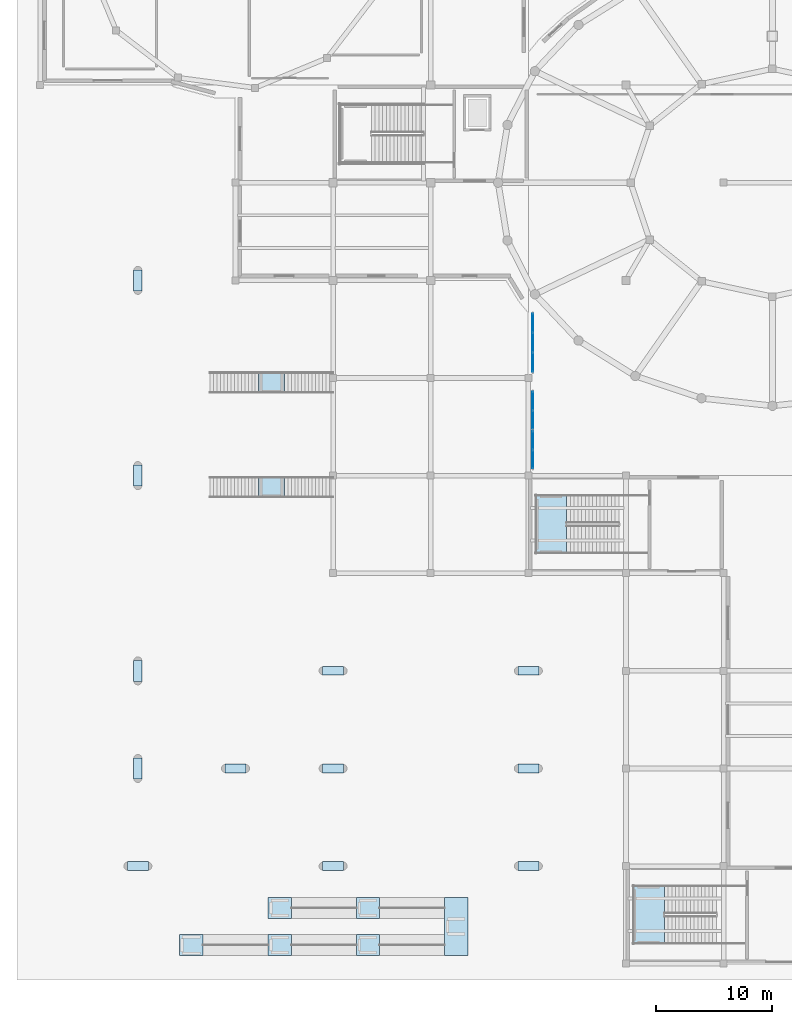
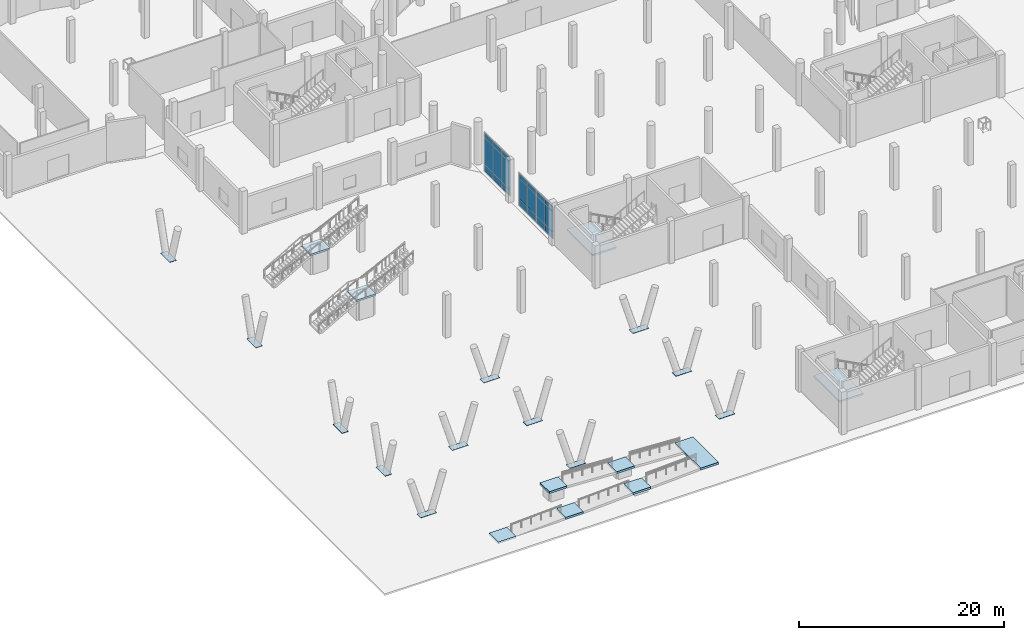
# One storey, part 37 of 64: 33 plates, 10 slabs, 12 elements without a shape of their own.
"""IFC4 building model written with IfcOpenShell, lengths in metres."""

import ifcopenshell
import ifcopenshell.guid

model = None  # the IFC model being written
_history = None  # IfcOwnerHistory: only IFC2X3 demands one
_inside = {}  # id of a spatial element -> (the spatial element, [elements in it])
_under = {}  # id of a project, library or spatial element -> (it, [spatial elements below it])
_declared = {}  # id of a project -> (the project, [libraries it declares])
_typed = {}  # id of a type object -> (the type object, [elements of that type])
_made_of = {}  # id of a material, layer set ... -> (it, [elements and type objects made of it])


def new_model(schema):
    """Start an empty IFC model of exactly this schema.

    Asked for "IFC4X3", IfcOpenShell would pick the latest addendum, in which some entities
    have other attributes; the version numbers below select the first issue.
    IFC2X3 requires an IfcOwnerHistory on every rooted entity: one is made here for all.
    """
    global model, _history
    if schema == "IFC4X3":
        model = ifcopenshell.file(schema_version=(4, 3, 0, 0))
    else:
        model = ifcopenshell.file(schema=schema)
    _inside.clear()
    _under.clear()
    _declared.clear()
    _typed.clear()
    _made_of.clear()
    _history = None
    if model.schema == "IFC2X3":
        org = make("IfcOrganization", Name="unknown")
        user = make(
            "IfcPersonAndOrganization",
            ThePerson=make("IfcPerson", FamilyName="unknown"),
            TheOrganization=org,
        )
        app = make(
            "IfcApplication",
            ApplicationDeveloper=org,
            Version="unknown",
            ApplicationFullName="unknown",
            ApplicationIdentifier="unknown",
        )
        _history = make(
            "IfcOwnerHistory",
            OwningUser=user,
            OwningApplication=app,
            ChangeAction="ADDED",
            CreationDate=0,
        )
    return model


def make(cls, **values):
    """One entity of the class cls with the attributes given. An attribute that is None is left unset."""
    return model.create_entity(
        cls, **{name: value for name, value in values.items() if value is not None}
    )


def rooted(cls, **values):
    """An entity with a GlobalId (a new one), such as an element, a storey or a relation."""
    return make(cls, GlobalId=ifcopenshell.guid.new(), OwnerHistory=_history, **values)


def si_unit(unit_type, name, prefix=None):
    """IfcSIUnit, for example si_unit("LENGTHUNIT", "METRE", prefix="MILLI")."""
    return make("IfcSIUnit", UnitType=unit_type, Prefix=prefix, Name=name)


def derived_unit(unit_type, elements):
    """IfcDerivedUnit: a product of units, each with its exponent."""
    return make(
        "IfcDerivedUnit",
        Elements=[
            make("IfcDerivedUnitElement", Unit=unit, Exponent=power)
            for unit, power in elements
        ],
        UnitType=unit_type,
    )


def assignment(units):
    """IfcUnitAssignment: the units of a project."""
    return None if units is None else make("IfcUnitAssignment", Units=units)


def point(xyz):
    """IfcCartesianPoint."""
    return None if xyz is None else make("IfcCartesianPoint", Coordinates=xyz)


def direction(xyz):
    """IfcDirection."""
    return None if xyz is None else make("IfcDirection", DirectionRatios=xyz)


def frame(location, z_axis=None, x_axis=None):
    """IfcAxis2Placement3D, a coordinate frame: its origin and axes. An axis left out is left unset."""
    return make(
        "IfcAxis2Placement3D",
        Location=point(location),
        Axis=direction(z_axis),
        RefDirection=direction(x_axis),
    )


def frame_2d(location, x_axis=None):
    """IfcAxis2Placement2D, a coordinate frame in the plane: its origin and x axis."""
    return make(
        "IfcAxis2Placement2D", Location=point(location), RefDirection=direction(x_axis)
    )


def origin():
    """The frame at (0, 0, 0) with its axes left unset."""
    return frame((0.0, 0.0, 0.0))


def origin_2d():
    """The frame at (0, 0) in the plane with its x axis left unset."""
    return frame_2d((0.0, 0.0))


def place(relative_to, where):
    """IfcLocalPlacement: puts the frame where relative to a parent placement (None: the world)."""
    return make(
        "IfcLocalPlacement", PlacementRelTo=relative_to, RelativePlacement=where
    )


def context(
    kind, dimensions, precision=None, world=None, true_north=None, identifier=None
):
    """IfcGeometricRepresentationContext, for example the 3D "Model" context."""
    return make(
        "IfcGeometricRepresentationContext",
        ContextIdentifier=identifier,
        ContextType=kind,
        CoordinateSpaceDimension=dimensions,
        Precision=precision,
        WorldCoordinateSystem=world,
        TrueNorth=true_north,
    )


def subcontext(parent, identifier, kind, view, scale=None):
    """IfcGeometricRepresentationSubContext, for example "Body" below "Model"."""
    return make(
        "IfcGeometricRepresentationSubContext",
        ContextIdentifier=identifier,
        ContextType=kind,
        ParentContext=parent,
        TargetScale=scale,
        TargetView=view,
    )


def project(units=None, contexts=None):
    """IfcProject with its units and contexts."""
    return rooted(
        "IfcProject",
        Name="project",
        RepresentationContexts=contexts,
        UnitsInContext=assignment(units),
    )


def spatial(cls, under=None, at=None, **own):
    """A site, building, storey or space (cls), placed at a placement, below another one or the project."""
    s = rooted(cls, ObjectPlacement=at, **own)
    if under is not None:
        _under.setdefault(under.id(), (under, []))[1].append(s)
    return s


def polyline(points):
    """IfcPolyline through the points."""
    return make("IfcPolyline", Points=[point(p) for p in points])


def profile(cls, at=None, kind="AREA", **sizes):
    """A parametric profile (cls). Its sizes go by their IFC names, for example OverallWidth=200.0."""
    return make(cls, ProfileType=kind, Position=at, **sizes)


def rectangle(**sizes):
    """IfcRectangleProfileDef."""
    return profile("IfcRectangleProfileDef", **sizes)


def outline(outer, holes=None, kind="AREA"):
    """IfcArbitraryClosedProfileDef: a profile drawn as a closed curve; with holes, ...WithVoids."""
    if holes is None:
        return make("IfcArbitraryClosedProfileDef", ProfileType=kind, OuterCurve=outer)
    return make(
        "IfcArbitraryProfileDefWithVoids",
        ProfileType=kind,
        OuterCurve=outer,
        InnerCurves=holes,
    )


def extrude(swept, where, along, depth):
    """IfcExtrudedAreaSolid: the profile swept, set in the frame where, extruded along a direction by depth."""
    return make(
        "IfcExtrudedAreaSolid",
        SweptArea=swept,
        Position=where,
        ExtrudedDirection=direction(along),
        Depth=depth,
    )


def shape(context_of_items, identifier, shape_type, items):
    """IfcShapeRepresentation: the items that make up one representation, for example the "Body"."""
    return make(
        "IfcShapeRepresentation",
        ContextOfItems=context_of_items,
        RepresentationIdentifier=identifier,
        RepresentationType=shape_type,
        Items=items,
    )


def material(Name=None, Category=None):
    """IfcMaterial."""
    return make("IfcMaterial", Name=Name, Category=Category)


def layer(
    of_material, thickness, ventilated=None, Name=None, Category=None, Priority=None
):
    """IfcMaterialLayer: one layer of a wall or slab, of a material (None: an air gap)."""
    return make(
        "IfcMaterialLayer",
        Material=of_material,
        LayerThickness=thickness,
        IsVentilated=ventilated,
        Name=Name,
        Category=Category,
        Priority=Priority,
    )


def layer_set(layers, Name=None):
    """IfcMaterialLayerSet."""
    return make("IfcMaterialLayerSet", MaterialLayers=layers, LayerSetName=Name)


def made_of(thing, what):
    """Note that an element or type object is made of a material, layer set ...; save() writes the relation."""
    if what is not None:
        _made_of.setdefault(what.id(), (what, []))[1].append(thing)
    return thing


def type_object(cls, material=None, **own):
    """A type object (cls), such as IfcWallType, which elements share."""
    return made_of(rooted(cls, **own), material)


def element(
    cls,
    number,
    at=None,
    inside=None,
    cuts=None,
    type_object=None,
    material=None,
    context=None,
    identifier="Body",
    shape_type=None,
    held_by="IfcProductDefinitionShape",
    body=None,
    shapes=None,
    **own,
):
    """One element of the class cls, such as IfcWall. Its Tag is "e" and its number.

    at: its placement. inside: the storey or other place that contains it. cuts: it is an
    opening in that element (IfcRelVoidsElement). A single representation is given by context,
    identifier, shape_type and body (its items); several are given by shapes. held_by: the class
    of the entity that holds the representations. save() writes the other relations.
    """
    e = rooted(cls, Tag="e%d" % number, ObjectPlacement=at, **own)
    if body is not None:
        shapes = [shape(context, identifier, shape_type, body)]
    if shapes is not None:
        e.Representation = make(held_by, Representations=shapes)
    if inside is not None:
        _inside.setdefault(inside.id(), (inside, []))[1].append(e)
    if cuts is not None:
        rooted(
            "IfcRelVoidsElement", RelatingBuildingElement=cuts, RelatedOpeningElement=e
        )
    if type_object is not None:
        _typed.setdefault(type_object.id(), (type_object, []))[1].append(e)
    return made_of(e, material)


def aggregate(whole, parts):
    """IfcRelAggregates: a whole, such as a stair, and the parts it consists of."""
    return rooted("IfcRelAggregates", RelatingObject=whole, RelatedObjects=parts)


def save(model, path):
    """Write the relations noted so far, then the file.

    IfcRelAggregates (storeys below a building ...), IfcRelContainedInSpatialStructure (elements
    in a storey), IfcRelDefinesByType, IfcRelAssociatesMaterial and IfcRelDeclares: one each for
    every whole, place, type object, material and project.
    """
    for whole, parts in _under.values():
        aggregate(whole, parts)
    for where, things in _inside.values():
        rooted(
            "IfcRelContainedInSpatialStructure",
            RelatedElements=things,
            RelatingStructure=where,
        )
    for kind, things in _typed.values():
        rooted("IfcRelDefinesByType", RelatedObjects=things, RelatingType=kind)
    for what, things in _made_of.values():
        rooted("IfcRelAssociatesMaterial", RelatedObjects=things, RelatingMaterial=what)
    for by, libraries in _declared.values():
        rooted("IfcRelDeclares", RelatingContext=by, RelatedDefinitions=libraries)
    model.write(path)


model = new_model("IFC4")

# Units and contexts
model_context = context("Model", 3, precision=1e-05, world=origin(), true_north=direction((0.0, 1.0)))
body_context = subcontext(model_context, "Body", "Model", "MODEL_VIEW")
ifc_project = project(units=[si_unit("LENGTHUNIT", "METRE"), si_unit("AREAUNIT", "SQUARE_METRE"), si_unit("VOLUMEUNIT", "CUBIC_METRE"), si_unit("PLANEANGLEUNIT", "RADIAN"), si_unit("MASSUNIT", "GRAM", prefix="KILO"), derived_unit("THERMALTRANSMITTANCEUNIT", [(si_unit("POWERUNIT", "WATT"), 1), (si_unit("LENGTHUNIT", "METRE"), -2), (si_unit("THERMODYNAMICTEMPERATUREUNIT", "KELVIN"), -1)])], contexts=[model_context])

# Site, building, storey
site_placement = place(None, origin())
site = spatial("IfcSite", under=ifc_project, at=site_placement, CompositionType="ELEMENT")
building_placement = place(site_placement, origin())
building = spatial("IfcBuilding", under=site, at=building_placement, Name="Elbkamm Science Centre", CompositionType="ELEMENT")
storey_placement = place(building_placement, origin())
storey = spatial("IfcBuildingStorey", under=building, at=storey_placement, Name="L00", CompositionType="ELEMENT", Elevation=0.0)

# Curtain wall, plates
ifc_material_1 = material(Name="Powder-coated aluminium and triple low-E glazing", Category="aluminium")
ifc_layer_1 = layer(ifc_material_1, 0.159912109375)
ifc_layer_set_1 = layer_set([ifc_layer_1], Name="Powder-coated aluminium and triple low-E glazing")
curtain_wall_type_1 = type_object("IfcCurtainWallType", Name="CW-UNIT-3320x3960", PredefinedType="USERDEFINED", material=ifc_layer_set_1)
curtain_wall_1_placement = place(storey_placement, origin())
curtain_wall_1 = element("IfcCurtainWall", 1, at=curtain_wall_1_placement, inside=storey, type_object=curtain_wall_type_1, Name="L00 Unitised Curtain Wall 144", ObjectType="UNITISED CURTAIN WALL", PredefinedType="USERDEFINED")
ifc_material_2 = material(Name="Triple solar-control insulated safety glass", Category="glass")
ifc_layer_2 = layer(ifc_material_2, 0.048095703125)
ifc_layer_set_2 = layer_set([ifc_layer_2], Name="Triple solar-control insulated safety glass")
plate_type_1 = type_object("IfcPlateType", Name="CW-PNL-48", PredefinedType="CURTAIN_PANEL", material=ifc_layer_set_2)
plate_1_placement = place(storey_placement, frame((42.3798828125, 43.398193359375, 0.06982421875), z_axis=(0.0, 0.0, 1.0), x_axis=(0.0, 1.0, 0.0)))
plate_1 = element("IfcPlate", 2, at=plate_1_placement, type_object=plate_type_1, Name="CW-067 panel 1.1", PredefinedType="CURTAIN_PANEL", context=body_context, shape_type="SweptSolid", body=[
    extrude(rectangle(XDim=1.556396484375, YDim=0.048095703125, at=origin_2d()), origin(), (0.0, 0.0, 1.0), 0.7451171875),
])
plate_2_placement = place(storey_placement, frame((42.3798828125, 43.398193359375, 0.885009765625), z_axis=(0.0, 0.0, 1.0), x_axis=(0.0, 1.0, 0.0)))
plate_2 = element("IfcPlate", 3, at=plate_2_placement, type_object=plate_type_1, Name="CW-067 panel 1.2", PredefinedType="CURTAIN_PANEL", context=body_context, shape_type="SweptSolid", body=[
    extrude(rectangle(XDim=1.556396484375, YDim=0.048095703125, at=origin_2d()), origin(), (0.0, 0.0, 1.0), 2.3798828125),
])
plate_3_placement = place(storey_placement, frame((42.3798828125, 43.398193359375, 3.3349609375), z_axis=(0.0, 0.0, 1.0), x_axis=(0.0, 1.0, 0.0)))
plate_3 = element("IfcPlate", 4, at=plate_3_placement, type_object=plate_type_1, Name="CW-067 panel 1.3", PredefinedType="CURTAIN_PANEL", context=body_context, shape_type="SweptSolid", body=[
    extrude(rectangle(XDim=1.556396484375, YDim=0.048095703125, at=origin_2d()), origin(), (0.0, 0.0, 1.0), 0.544921875),
])
plate_4_placement = place(storey_placement, frame((42.3798828125, 45.024658203125, 0.06982421875), z_axis=(0.0, 0.0, 1.0), x_axis=(0.0, 1.0, 0.0)))
plate_4 = element("IfcPlate", 5, at=plate_4_placement, type_object=plate_type_1, Name="CW-067 panel 2.1", PredefinedType="CURTAIN_PANEL", context=body_context, shape_type="SweptSolid", body=[
    extrude(rectangle(XDim=1.556396484375, YDim=0.048095703125, at=origin_2d()), origin(), (0.0, 0.0, 1.0), 0.7451171875),
])
plate_5_placement = place(storey_placement, frame((42.3798828125, 45.024658203125, 0.885009765625), z_axis=(0.0, 0.0, 1.0), x_axis=(0.0, 1.0, 0.0)))
plate_5 = element("IfcPlate", 6, at=plate_5_placement, type_object=plate_type_1, Name="CW-067 panel 2.2", PredefinedType="CURTAIN_PANEL", context=body_context, shape_type="SweptSolid", body=[
    extrude(rectangle(XDim=1.556396484375, YDim=0.048095703125, at=origin_2d()), origin(), (0.0, 0.0, 1.0), 2.3798828125),
])
plate_6_placement = place(storey_placement, frame((42.3798828125, 45.024658203125, 3.3349609375), z_axis=(0.0, 0.0, 1.0), x_axis=(0.0, 1.0, 0.0)))
plate_6 = element("IfcPlate", 7, at=plate_6_placement, type_object=plate_type_1, Name="CW-067 panel 2.3", PredefinedType="CURTAIN_PANEL", context=body_context, shape_type="SweptSolid", body=[
    extrude(rectangle(XDim=1.556396484375, YDim=0.048095703125, at=origin_2d()), origin(), (0.0, 0.0, 1.0), 0.544921875),
])
aggregate(curtain_wall_1, [plate_1, plate_2, plate_3, plate_4, plate_5, plate_6])

curtain_wall_2_placement = place(storey_placement, origin())
curtain_wall_2 = element("IfcCurtainWall", 8, at=curtain_wall_2_placement, inside=storey, type_object=curtain_wall_type_1, Name="L00 Unitised Curtain Wall 145", ObjectType="UNITISED CURTAIN WALL", PredefinedType="USERDEFINED")
plate_7_placement = place(storey_placement, frame((42.3798828125, 46.80126953125, 0.06982421875), z_axis=(0.0, 0.0, 1.0), x_axis=(0.0, 1.0, 0.0)))
plate_7 = element("IfcPlate", 9, at=plate_7_placement, type_object=plate_type_1, Name="CW-067 panel 1.1", PredefinedType="CURTAIN_PANEL", context=body_context, shape_type="SweptSolid", body=[
    extrude(rectangle(XDim=1.556396484375, YDim=0.048095703125, at=origin_2d()), origin(), (0.0, 0.0, 1.0), 0.7451171875),
])
plate_8_placement = place(storey_placement, frame((42.3798828125, 46.80126953125, 0.885009765625), z_axis=(0.0, 0.0, 1.0), x_axis=(0.0, 1.0, 0.0)))
plate_8 = element("IfcPlate", 10, at=plate_8_placement, type_object=plate_type_1, Name="CW-067 panel 1.2", PredefinedType="CURTAIN_PANEL", context=body_context, shape_type="SweptSolid", body=[
    extrude(rectangle(XDim=1.556396484375, YDim=0.048095703125, at=origin_2d()), origin(), (0.0, 0.0, 1.0), 2.3798828125),
])
plate_9_placement = place(storey_placement, frame((42.3798828125, 46.80126953125, 3.3349609375), z_axis=(0.0, 0.0, 1.0), x_axis=(0.0, 1.0, 0.0)))
plate_9 = element("IfcPlate", 11, at=plate_9_placement, type_object=plate_type_1, Name="CW-067 panel 1.3", PredefinedType="CURTAIN_PANEL", context=body_context, shape_type="SweptSolid", body=[
    extrude(rectangle(XDim=1.556396484375, YDim=0.048095703125, at=origin_2d()), origin(), (0.0, 0.0, 1.0), 0.544921875),
])
plate_10_placement = place(storey_placement, frame((42.3798828125, 48.427734375, 0.06982421875), z_axis=(0.0, 0.0, 1.0), x_axis=(0.0, 1.0, 0.0)))
plate_10 = element("IfcPlate", 12, at=plate_10_placement, type_object=plate_type_1, Name="CW-067 panel 2.1", PredefinedType="CURTAIN_PANEL", context=body_context, shape_type="SweptSolid", body=[
    extrude(rectangle(XDim=1.556396484375, YDim=0.048095703125, at=origin_2d()), origin(), (0.0, 0.0, 1.0), 0.7451171875),
])
plate_11_placement = place(storey_placement, frame((42.3798828125, 48.427734375, 0.885009765625), z_axis=(0.0, 0.0, 1.0), x_axis=(0.0, 1.0, 0.0)))
plate_11 = element("IfcPlate", 13, at=plate_11_placement, type_object=plate_type_1, Name="CW-067 panel 2.2", PredefinedType="CURTAIN_PANEL", context=body_context, shape_type="SweptSolid", body=[
    extrude(rectangle(XDim=1.556396484375, YDim=0.048095703125, at=origin_2d()), origin(), (0.0, 0.0, 1.0), 2.3798828125),
])
plate_12_placement = place(storey_placement, frame((42.3798828125, 48.427734375, 3.3349609375), z_axis=(0.0, 0.0, 1.0), x_axis=(0.0, 1.0, 0.0)))
plate_12 = element("IfcPlate", 14, at=plate_12_placement, type_object=plate_type_1, Name="CW-067 panel 2.3", PredefinedType="CURTAIN_PANEL", context=body_context, shape_type="SweptSolid", body=[
    extrude(rectangle(XDim=1.556396484375, YDim=0.048095703125, at=origin_2d()), origin(), (0.0, 0.0, 1.0), 0.544921875),
])
aggregate(curtain_wall_2, [plate_7, plate_8, plate_9, plate_10, plate_11, plate_12])

ifc_layer_3 = layer(ifc_material_1, 0.159912109375)
ifc_layer_set_3 = layer_set([ifc_layer_3], Name="Powder-coated aluminium and triple low-E glazing")
curtain_wall_type_2 = type_object("IfcCurtainWallType", Name="CW-UNIT-5120x4700", PredefinedType="USERDEFINED", material=ifc_layer_set_3)
curtain_wall_3_placement = place(storey_placement, origin())
curtain_wall_3 = element("IfcCurtainWall", 15, at=curtain_wall_3_placement, inside=storey, type_object=curtain_wall_type_2, Name="L00 Unitised Curtain Wall 146", ObjectType="UNITISED CURTAIN WALL", PredefinedType="USERDEFINED")
plate_13_placement = place(storey_placement, frame((42.3798828125, 51.75634765625, 0.06982421875), z_axis=(0.0, 0.0, 1.0), x_axis=(0.0, 1.0, 0.0)))
plate_13 = element("IfcPlate", 16, at=plate_13_placement, type_object=plate_type_1, Name="CW-068 panel 1.1", PredefinedType="CURTAIN_PANEL", context=body_context, shape_type="SweptSolid", body=[
    extrude(rectangle(XDim=1.60009765625, YDim=0.048095703125, at=origin_2d()), origin(), (0.0, 0.0, 1.0), 0.7451171875),
])
plate_14_placement = place(storey_placement, frame((42.3798828125, 51.75634765625, 0.885009765625), z_axis=(0.0, 0.0, 1.0), x_axis=(0.0, 1.0, 0.0)))
plate_14 = element("IfcPlate", 17, at=plate_14_placement, type_object=plate_type_1, Name="CW-068 panel 1.2", PredefinedType="CURTAIN_PANEL", context=body_context, shape_type="SweptSolid", body=[
    extrude(rectangle(XDim=1.60009765625, YDim=0.048095703125, at=origin_2d()), origin(), (0.0, 0.0, 1.0), 3.1298828125),
])
plate_15_placement = place(storey_placement, frame((42.3798828125, 51.75634765625, 4.0849609375), z_axis=(0.0, 0.0, 1.0), x_axis=(0.0, 1.0, 0.0)))
plate_15 = element("IfcPlate", 18, at=plate_15_placement, type_object=plate_type_1, Name="CW-068 panel 1.3", PredefinedType="CURTAIN_PANEL", context=body_context, shape_type="SweptSolid", body=[
    extrude(rectangle(XDim=1.60009765625, YDim=0.048095703125, at=origin_2d()), origin(), (0.0, 0.0, 1.0), 0.544921875),
])
plate_16_placement = place(storey_placement, frame((42.3798828125, 53.444091796875, 0.06982421875), z_axis=(0.0, 0.0, 1.0), x_axis=(0.0, 1.0, 0.0)))
plate_16 = element("IfcPlate", 19, at=plate_16_placement, type_object=plate_type_1, Name="CW-068 panel 2.1", PredefinedType="CURTAIN_PANEL", context=body_context, shape_type="SweptSolid", body=[
    extrude(rectangle(XDim=1.63525390625, YDim=0.048095703125, at=origin_2d()), origin(), (0.0, 0.0, 1.0), 0.7451171875),
])
plate_17_placement = place(storey_placement, frame((42.3798828125, 53.444091796875, 0.885009765625), z_axis=(0.0, 0.0, 1.0), x_axis=(0.0, 1.0, 0.0)))
plate_17 = element("IfcPlate", 20, at=plate_17_placement, type_object=plate_type_1, Name="CW-068 panel 2.2", PredefinedType="CURTAIN_PANEL", context=body_context, shape_type="SweptSolid", body=[
    extrude(rectangle(XDim=1.63525390625, YDim=0.048095703125, at=origin_2d()), origin(), (0.0, 0.0, 1.0), 3.1298828125),
])
plate_18_placement = place(storey_placement, frame((42.3798828125, 53.444091796875, 4.0849609375), z_axis=(0.0, 0.0, 1.0), x_axis=(0.0, 1.0, 0.0)))
plate_18 = element("IfcPlate", 21, at=plate_18_placement, type_object=plate_type_1, Name="CW-068 panel 2.3", PredefinedType="CURTAIN_PANEL", context=body_context, shape_type="SweptSolid", body=[
    extrude(rectangle(XDim=1.63525390625, YDim=0.048095703125, at=origin_2d()), origin(), (0.0, 0.0, 1.0), 0.544921875),
])
plate_19_placement = place(storey_placement, frame((42.3798828125, 55.1318359375, 0.06982421875), z_axis=(0.0, 0.0, 1.0), x_axis=(0.0, 1.0, 0.0)))
plate_19 = element("IfcPlate", 22, at=plate_19_placement, type_object=plate_type_1, Name="CW-068 panel 3.1", PredefinedType="CURTAIN_PANEL", context=body_context, shape_type="SweptSolid", body=[
    extrude(rectangle(XDim=1.60009765625, YDim=0.048095703125, at=origin_2d()), origin(), (0.0, 0.0, 1.0), 0.7451171875),
])
plate_20_placement = place(storey_placement, frame((42.3798828125, 55.1318359375, 0.885009765625), z_axis=(0.0, 0.0, 1.0), x_axis=(0.0, 1.0, 0.0)))
plate_20 = element("IfcPlate", 23, at=plate_20_placement, type_object=plate_type_1, Name="CW-068 panel 3.2", PredefinedType="CURTAIN_PANEL", context=body_context, shape_type="SweptSolid", body=[
    extrude(rectangle(XDim=1.60009765625, YDim=0.048095703125, at=origin_2d()), origin(), (0.0, 0.0, 1.0), 3.1298828125),
])
plate_21_placement = place(storey_placement, frame((42.3798828125, 55.1318359375, 4.0849609375), z_axis=(0.0, 0.0, 1.0), x_axis=(0.0, 1.0, 0.0)))
plate_21 = element("IfcPlate", 24, at=plate_21_placement, type_object=plate_type_1, Name="CW-068 panel 3.3", PredefinedType="CURTAIN_PANEL", context=body_context, shape_type="SweptSolid", body=[
    extrude(rectangle(XDim=1.60009765625, YDim=0.048095703125, at=origin_2d()), origin(), (0.0, 0.0, 1.0), 0.544921875),
])
aggregate(curtain_wall_3, [plate_13, plate_14, plate_15, plate_16, plate_17, plate_18, plate_19, plate_20, plate_21])

# Plates
ifc_material_3 = material(Name="Steel EN 10025-2 S355J2", Category="steel")
ifc_layer_4 = layer(ifc_material_3, 0.02392578125)
ifc_layer_set_4 = layer_set([ifc_layer_4], Name="Steel EN 10025-2 S355J2")
plate_type_2 = type_object("IfcPlateType", Name="PLT-SHEET-24", PredefinedType="SHEET", material=ifc_layer_set_4)
for number, where, z_axis, x_axis, name in (
    (25, (8.39990234375, 16.800048828125, 0.0), (0.0, 0.0, 1.0), (0.0, 1.0, 0.0), "Piloti Pedestal Base Plate V04"),
    (26, (8.39990234375, 42.0, 0.0), (0.0, 0.0, 1.0), (0.0, 1.0, 0.0), "Piloti Pedestal Base Plate V08"),
    (27, (16.800048828125, 16.800048828125, 0.0), (0.0, 0.0, 1.0), (1.0, 0.0, 0.0), "Piloti Pedestal Base Plate V12"),
):
    element("IfcPlate", number, at=place(storey_placement, frame(where, z_axis=z_axis, x_axis=x_axis)), inside=storey, type_object=plate_type_2, Name=name, PredefinedType="SHEET", context=body_context, shape_type="SweptSolid", body=[
        extrude(rectangle(XDim=1.800048828125, YDim=0.75, at=origin_2d()), origin(), (0.0, 0.0, 1.0), 0.02392578125),
    ])
ifc_layer_5 = layer(ifc_material_3, 0.028076171875)
ifc_layer_set_5 = layer_set([ifc_layer_5], Name="Steel EN 10025-2 S355J2")
plate_type_3 = type_object("IfcPlateType", Name="PLT-SHEET-28", PredefinedType="SHEET", material=ifc_layer_set_5)
for number, where, z_axis, x_axis, name in (
    (28, (8.39990234375, 8.39990234375, 0.0), (0.0, 0.0, 1.0), (1.0, 0.0, 0.0), "Piloti Pedestal Base Plate V01"),
    (29, (25.199951171875, 16.800048828125, 0.0), (0.0, 0.0, 1.0), (1.0, 0.0, 0.0), "Piloti Pedestal Base Plate V05"),
    (30, (8.39990234375, 58.800048828125, 0.0), (0.0, 0.0, 1.0), (0.0, 1.0, 0.0), "Piloti Pedestal Base Plate V09"),
):
    element("IfcPlate", number, at=place(storey_placement, frame(where, z_axis=z_axis, x_axis=x_axis)), inside=storey, type_object=plate_type_3, Name=name, PredefinedType="SHEET", context=body_context, shape_type="SweptSolid", body=[
        extrude(rectangle(XDim=1.800048828125, YDim=0.75, at=origin_2d()), origin(), (0.0, 0.0, 1.0), 0.028076171875),
    ])
ifc_layer_6 = layer(ifc_material_3, 0.031982421875)
ifc_layer_set_6 = layer_set([ifc_layer_6], Name="Steel EN 10025-2 S355J2")
plate_type_4 = type_object("IfcPlateType", Name="PLT-SHEET-32", PredefinedType="SHEET", material=ifc_layer_set_6)
for number, where, z_axis, x_axis, name in (
    (31, (25.199951171875, 8.39990234375, 0.0), (0.0, 0.0, 1.0), (1.0, 0.0, 0.0), "Piloti Pedestal Base Plate V02"),
    (32, (42.0, 16.800048828125, 0.0), (0.0, 0.0, 1.0), (1.0, 0.0, 0.0), "Piloti Pedestal Base Plate V06"),
    (33, (25.199951171875, 25.199951171875, 0.0), (0.0, 0.0, 1.0), (1.0, 0.0, 0.0), "Piloti Pedestal Base Plate V10"),
):
    element("IfcPlate", number, at=place(storey_placement, frame(where, z_axis=z_axis, x_axis=x_axis)), inside=storey, type_object=plate_type_4, Name=name, PredefinedType="SHEET", context=body_context, shape_type="SweptSolid", body=[
        extrude(rectangle(XDim=1.800048828125, YDim=0.75, at=origin_2d()), origin(), (0.0, 0.0, 1.0), 0.031982421875),
    ])
ifc_layer_7 = layer(ifc_material_3, 0.035888671875)
ifc_layer_set_7 = layer_set([ifc_layer_7], Name="Steel EN 10025-2 S355J2")
plate_type_5 = type_object("IfcPlateType", Name="PLT-SHEET-36", PredefinedType="SHEET", material=ifc_layer_set_7)
for number, where, z_axis, x_axis, name in (
    (34, (42.0, 8.39990234375, 0.0), (0.0, 0.0, 1.0), (1.0, 0.0, 0.0), "Piloti Pedestal Base Plate V03"),
    (35, (8.39990234375, 25.199951171875, 0.0), (0.0, 0.0, 1.0), (0.0, 1.0, 0.0), "Piloti Pedestal Base Plate V07"),
    (36, (42.0, 25.199951171875, 0.0), (0.0, 0.0, 1.0), (1.0, 0.0, 0.0), "Piloti Pedestal Base Plate V11"),
):
    element("IfcPlate", number, at=place(storey_placement, frame(where, z_axis=z_axis, x_axis=x_axis)), inside=storey, type_object=plate_type_5, Name=name, PredefinedType="SHEET", context=body_context, shape_type="SweptSolid", body=[
        extrude(rectangle(XDim=1.800048828125, YDim=0.75, at=origin_2d()), origin(), (0.0, 0.0, 1.0), 0.035888671875),
    ])

# Stair, slab
ifc_material_4 = material(Name="Reinforced concrete C40/50", Category="concrete")
stair_type_1 = type_object("IfcStairType", Name="ST-TWO-30R-242", PredefinedType="USERDEFINED", material=ifc_material_4)
stair_1_placement = place(storey_placement, origin())
stair_1 = element("IfcStair", 37, at=stair_1_placement, inside=storey, type_object=stair_type_1, Name="L00 Core C5 Southwest Plinth Assembly Egress Core Escape Stair", ObjectType="TWO_RETURN_STAIR", PredefinedType="USERDEFINED")
ifc_layer_8 = layer(ifc_material_4, 0.199951171875)
ifc_layer_set_8 = layer_set([ifc_layer_8], Name="Reinforced concrete C40/50")
slab_type = type_object("IfcSlabType", Name="SLAB-LAND-200", PredefinedType="LANDING", material=ifc_layer_set_8)
slab_1_placement = place(storey_placement, frame((0.0, 0.0, 2.35009765625)))
slab_1 = element("IfcSlab", 38, at=slab_1_placement, type_object=slab_type, Name="ST-C5 landing 1", PredefinedType="LANDING", context=body_context, shape_type="SweptSolid", body=[
    extrude(outline(polyline([(45.300048828125, 40.320068359375), (42.60009765625, 40.320068359375), (42.60009765625, 35.280029296875), (45.300048828125, 35.280029296875), (45.300048828125, 40.320068359375)])), origin(), (0.0, 0.0, 1.0), 0.199951171875),
])
aggregate(stair_1, [slab_1])

stair_2_placement = place(storey_placement, origin())
stair_2 = element("IfcStair", 39, at=stair_2_placement, inside=storey, type_object=stair_type_1, Name="L00 Core C6 South Theatre Assembly Egress Core Escape Stair", ObjectType="TWO_RETURN_STAIR", PredefinedType="USERDEFINED")
slab_2_placement = place(storey_placement, frame((0.0, 0.0, 2.35009765625)))
slab_2 = element("IfcSlab", 40, at=slab_2_placement, type_object=slab_type, Name="ST-C6 landing 1", PredefinedType="LANDING", context=body_context, shape_type="SweptSolid", body=[
    extrude(outline(polyline([(53.699951171875, 6.719970703125), (51.0, 6.719970703125), (51.0, 1.679931640625), (53.699951171875, 1.679931640625), (53.699951171875, 6.719970703125)])), origin(), (0.0, 0.0, 1.0), 0.199951171875),
])
aggregate(stair_2, [slab_2])

stair_type_2 = type_object("IfcStairType", Name="ST-STR-30R-180", PredefinedType="STRAIGHT_RUN_STAIR", material=ifc_material_4)
stair_3_placement = place(storey_placement, origin())
stair_3 = element("IfcStair", 41, at=stair_3_placement, inside=storey, type_object=stair_type_2, Name="Warft Forecourt Ceremonial Stair 1", PredefinedType="STRAIGHT_RUN_STAIR")
slab_3_placement = place(storey_placement, frame((0.0, 0.0, 2.35009765625)))
slab_3 = element("IfcSlab", 42, at=slab_3_placement, type_object=slab_type, Name="ST-W1 landing 1", PredefinedType="LANDING", context=body_context, shape_type="SweptSolid", body=[
    extrude(outline(polyline([(18.800048828125, 40.10009765625), (21.0, 40.10009765625), (21.0, 41.89990234375), (18.800048828125, 41.89990234375), (18.800048828125, 40.10009765625)])), origin(), (0.0, 0.0, 1.0), 0.199951171875),
])
aggregate(stair_3, [slab_3])

stair_4_placement = place(storey_placement, origin())
stair_4 = element("IfcStair", 43, at=stair_4_placement, inside=storey, type_object=stair_type_2, Name="Warft Forecourt Ceremonial Stair 2", PredefinedType="STRAIGHT_RUN_STAIR")
slab_4_placement = place(storey_placement, frame((0.0, 0.0, 2.35009765625)))
slab_4 = element("IfcSlab", 44, at=slab_4_placement, type_object=slab_type, Name="ST-W2 landing 1", PredefinedType="LANDING", context=body_context, shape_type="SweptSolid", body=[
    extrude(outline(polyline([(18.800048828125, 49.10009765625), (21.0, 49.10009765625), (21.0, 50.89990234375), (18.800048828125, 50.89990234375), (18.800048828125, 49.10009765625)])), origin(), (0.0, 0.0, 1.0), 0.199951171875),
])
aggregate(stair_4, [slab_4])

# Slab
slab_5_placement = place(storey_placement, frame((0.0, 0.0, -0.199951171875)))
element("IfcSlab", 45, at=slab_5_placement, inside=storey, type_object=slab_type, Name="Forecourt Accessible Ramp Entry Landing", PredefinedType="LANDING", context=body_context, shape_type="SweptSolid", body=[
    extrude(outline(polyline([(12.0, 0.699951171875), (14.0, 0.699951171875), (14.0, 2.5), (12.0, 2.5), (12.0, 0.699951171875)])), origin(), (0.0, 0.0, 1.0), 0.199951171875),
])

# Ramp, slab
ramp_type = type_object("IfcRampType", Name="RAMP-ACC-1800", PredefinedType="STRAIGHT_RUN_RAMP", material=ifc_material_4)
ramp_1_placement = place(storey_placement, origin())
ramp_1 = element("IfcRamp", 46, at=ramp_1_placement, inside=storey, type_object=ramp_type, Name="Forecourt Barrier-Free Promenade Ramp RMP-01", PredefinedType="STRAIGHT_RUN_RAMP")
slab_6_placement = place(storey_placement, frame((0.0, 0.0, 0.0400390625)))
slab_6 = element("IfcSlab", 47, at=slab_6_placement, type_object=slab_type, Name="RMP-01 Level Landing", PredefinedType="LANDING", context=body_context, shape_type="SweptSolid", body=[
    extrude(outline(polyline([(19.60009765625, 0.699951171875), (21.60009765625, 0.699951171875), (21.60009765625, 2.5), (19.60009765625, 2.5), (19.60009765625, 0.699951171875)])), origin(), (0.0, 0.0, 1.0), 0.239990234375),
])
aggregate(ramp_1, [slab_6])

ramp_2_placement = place(storey_placement, origin())
ramp_2 = element("IfcRamp", 48, at=ramp_2_placement, inside=storey, type_object=ramp_type, Name="Forecourt Barrier-Free Promenade Ramp RMP-02", PredefinedType="STRAIGHT_RUN_RAMP")
slab_7_placement = place(storey_placement, frame((0.0, 0.0, 0.320068359375)))
slab_7 = element("IfcSlab", 49, at=slab_7_placement, type_object=slab_type, Name="RMP-02 Level Landing", PredefinedType="LANDING", context=body_context, shape_type="SweptSolid", body=[
    extrude(outline(polyline([(27.199951171875, 0.699951171875), (29.199951171875, 0.699951171875), (29.199951171875, 2.5), (27.199951171875, 2.5), (27.199951171875, 0.699951171875)])), origin(), (0.0, 0.0, 1.0), 0.239990234375),
])
aggregate(ramp_2, [slab_7])

ramp_3_placement = place(storey_placement, origin())
ramp_3 = element("IfcRamp", 50, at=ramp_3_placement, inside=storey, type_object=ramp_type, Name="Forecourt Barrier-Free Promenade Ramp RMP-03", PredefinedType="STRAIGHT_RUN_RAMP")
slab_8_placement = place(storey_placement, frame((0.0, 0.0, 0.60009765625)))
slab_8 = element("IfcSlab", 51, at=slab_8_placement, type_object=slab_type, Name="RMP-03 Level Landing", PredefinedType="LANDING", context=body_context, shape_type="SweptSolid", body=[
    extrude(outline(polyline([(34.800048828125, 0.699951171875), (36.800048828125, 0.699951171875), (36.800048828125, 5.699951171875), (34.800048828125, 5.699951171875), (34.800048828125, 0.699951171875)])), origin(), (0.0, 0.0, 1.0), 0.239990234375),
])
aggregate(ramp_3, [slab_8])

ramp_4_placement = place(storey_placement, origin())
ramp_4 = element("IfcRamp", 52, at=ramp_4_placement, inside=storey, type_object=ramp_type, Name="Forecourt Barrier-Free Promenade Ramp RMP-04", PredefinedType="STRAIGHT_RUN_RAMP")
slab_9_placement = place(storey_placement, frame((0.0, 0.0, 0.8798828125)))
slab_9 = element("IfcSlab", 53, at=slab_9_placement, type_object=slab_type, Name="RMP-04 Level Landing", PredefinedType="LANDING", context=body_context, shape_type="SweptSolid", body=[
    extrude(outline(polyline([(27.199951171875, 3.89990234375), (29.199951171875, 3.89990234375), (29.199951171875, 5.699951171875), (27.199951171875, 5.699951171875), (27.199951171875, 3.89990234375)])), origin(), (0.0, 0.0, 1.0), 0.240234375),
])
aggregate(ramp_4, [slab_9])

ramp_5_placement = place(storey_placement, origin())
ramp_5 = element("IfcRamp", 54, at=ramp_5_placement, inside=storey, type_object=ramp_type, Name="Forecourt Barrier-Free Promenade Ramp RMP-05", PredefinedType="STRAIGHT_RUN_RAMP")
slab_10_placement = place(storey_placement, frame((0.0, 0.0, 1.159912109375)))
slab_10 = element("IfcSlab", 55, at=slab_10_placement, type_object=slab_type, Name="RMP-05 Level Landing", PredefinedType="LANDING", context=body_context, shape_type="SweptSolid", body=[
    extrude(outline(polyline([(19.60009765625, 3.89990234375), (21.60009765625, 3.89990234375), (21.60009765625, 5.699951171875), (19.60009765625, 5.699951171875), (19.60009765625, 3.89990234375)])), origin(), (0.0, 0.0, 1.0), 0.239990234375),
])
aggregate(ramp_5, [slab_10])

save(model, "model.ifc")
